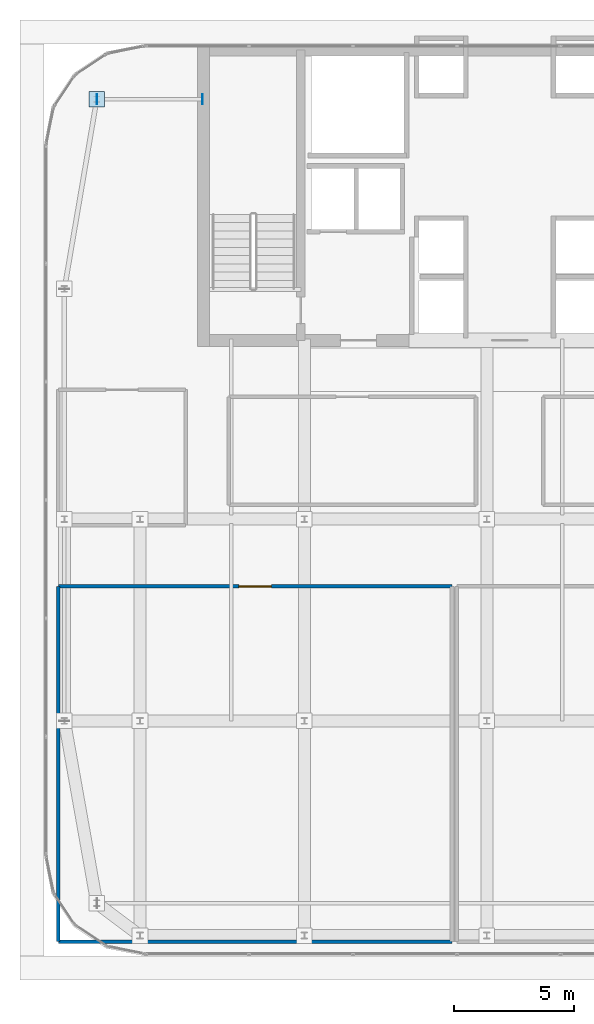
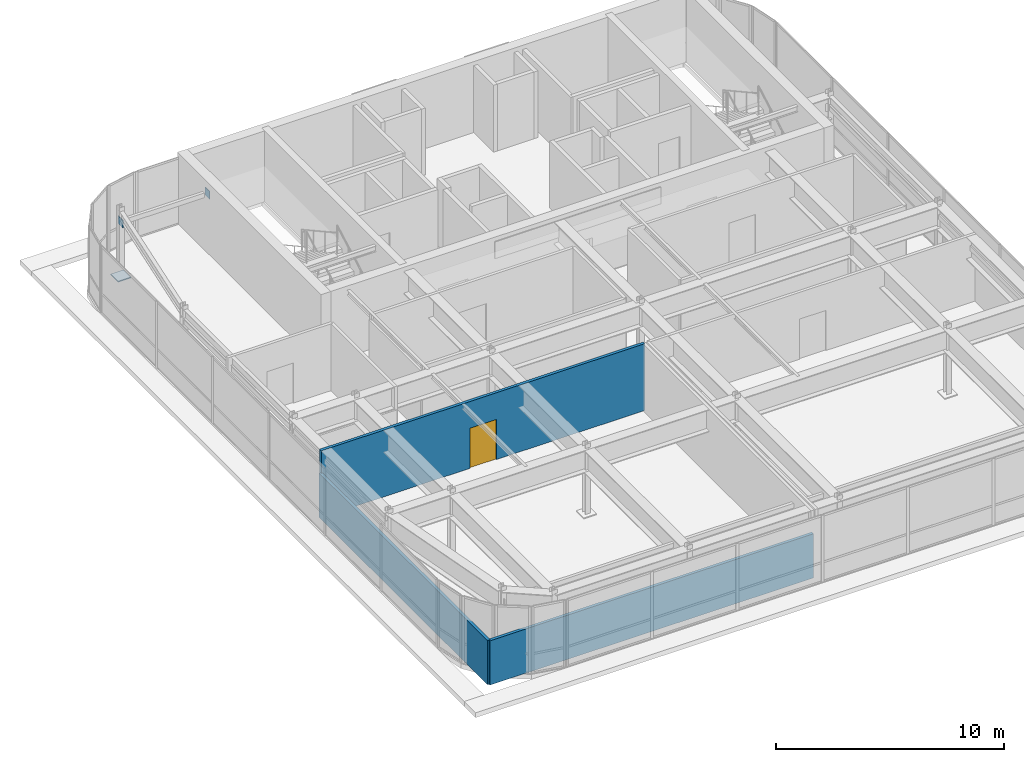
# One storey, part 32 of 35: 3 plates, 3 walls, 1 door, 1 opening.
"""IFC4 building model written with IfcOpenShell, lengths in metres."""

import ifcopenshell
import ifcopenshell.guid

model = None  # the IFC model being written
_history = None  # IfcOwnerHistory: only IFC2X3 demands one
_inside = {}  # id of a spatial element -> (the spatial element, [elements in it])
_under = {}  # id of a project, library or spatial element -> (it, [spatial elements below it])
_declared = {}  # id of a project -> (the project, [libraries it declares])
_typed = {}  # id of a type object -> (the type object, [elements of that type])
_made_of = {}  # id of a material, layer set ... -> (it, [elements and type objects made of it])


def new_model(schema):
    """Start an empty IFC model of exactly this schema.

    Asked for "IFC4X3", IfcOpenShell would pick the latest addendum, in which some entities
    have other attributes; the version numbers below select the first issue.
    IFC2X3 requires an IfcOwnerHistory on every rooted entity: one is made here for all.
    """
    global model, _history
    if schema == "IFC4X3":
        model = ifcopenshell.file(schema_version=(4, 3, 0, 0))
    else:
        model = ifcopenshell.file(schema=schema)
    _inside.clear()
    _under.clear()
    _declared.clear()
    _typed.clear()
    _made_of.clear()
    _history = None
    if model.schema == "IFC2X3":
        org = make("IfcOrganization", Name="unknown")
        user = make(
            "IfcPersonAndOrganization",
            ThePerson=make("IfcPerson", FamilyName="unknown"),
            TheOrganization=org,
        )
        app = make(
            "IfcApplication",
            ApplicationDeveloper=org,
            Version="unknown",
            ApplicationFullName="unknown",
            ApplicationIdentifier="unknown",
        )
        _history = make(
            "IfcOwnerHistory",
            OwningUser=user,
            OwningApplication=app,
            ChangeAction="ADDED",
            CreationDate=0,
        )
    return model


def make(cls, **values):
    """One entity of the class cls with the attributes given. An attribute that is None is left unset."""
    return model.create_entity(
        cls, **{name: value for name, value in values.items() if value is not None}
    )


def rooted(cls, **values):
    """An entity with a GlobalId (a new one), such as an element, a storey or a relation."""
    return make(cls, GlobalId=ifcopenshell.guid.new(), OwnerHistory=_history, **values)


def si_unit(unit_type, name, prefix=None):
    """IfcSIUnit, for example si_unit("LENGTHUNIT", "METRE", prefix="MILLI")."""
    return make("IfcSIUnit", UnitType=unit_type, Prefix=prefix, Name=name)


def assignment(units):
    """IfcUnitAssignment: the units of a project."""
    return None if units is None else make("IfcUnitAssignment", Units=units)


def point(xyz):
    """IfcCartesianPoint."""
    return None if xyz is None else make("IfcCartesianPoint", Coordinates=xyz)


def direction(xyz):
    """IfcDirection."""
    return None if xyz is None else make("IfcDirection", DirectionRatios=xyz)


def frame(location, z_axis=None, x_axis=None):
    """IfcAxis2Placement3D, a coordinate frame: its origin and axes. An axis left out is left unset."""
    return make(
        "IfcAxis2Placement3D",
        Location=point(location),
        Axis=direction(z_axis),
        RefDirection=direction(x_axis),
    )


def frame_2d(location, x_axis=None):
    """IfcAxis2Placement2D, a coordinate frame in the plane: its origin and x axis."""
    return make(
        "IfcAxis2Placement2D", Location=point(location), RefDirection=direction(x_axis)
    )


def origin():
    """The frame at (0, 0, 0) with its axes left unset."""
    return frame((0.0, 0.0, 0.0))


def origin_2d():
    """The frame at (0, 0) in the plane with its x axis left unset."""
    return frame_2d((0.0, 0.0))


def place(relative_to, where):
    """IfcLocalPlacement: puts the frame where relative to a parent placement (None: the world)."""
    return make(
        "IfcLocalPlacement", PlacementRelTo=relative_to, RelativePlacement=where
    )


def context(
    kind, dimensions, precision=None, world=None, true_north=None, identifier=None
):
    """IfcGeometricRepresentationContext, for example the 3D "Model" context."""
    return make(
        "IfcGeometricRepresentationContext",
        ContextIdentifier=identifier,
        ContextType=kind,
        CoordinateSpaceDimension=dimensions,
        Precision=precision,
        WorldCoordinateSystem=world,
        TrueNorth=true_north,
    )


def subcontext(parent, identifier, kind, view, scale=None):
    """IfcGeometricRepresentationSubContext, for example "Body" below "Model"."""
    return make(
        "IfcGeometricRepresentationSubContext",
        ContextIdentifier=identifier,
        ContextType=kind,
        ParentContext=parent,
        TargetScale=scale,
        TargetView=view,
    )


def project(units=None, contexts=None):
    """IfcProject with its units and contexts."""
    return rooted(
        "IfcProject",
        Name="project",
        RepresentationContexts=contexts,
        UnitsInContext=assignment(units),
    )


def spatial(cls, under=None, at=None, **own):
    """A site, building, storey or space (cls), placed at a placement, below another one or the project."""
    s = rooted(cls, ObjectPlacement=at, **own)
    if under is not None:
        _under.setdefault(under.id(), (under, []))[1].append(s)
    return s


def profile(cls, at=None, kind="AREA", **sizes):
    """A parametric profile (cls). Its sizes go by their IFC names, for example OverallWidth=200.0."""
    return make(cls, ProfileType=kind, Position=at, **sizes)


def rectangle(**sizes):
    """IfcRectangleProfileDef."""
    return profile("IfcRectangleProfileDef", **sizes)


def extrude(swept, where, along, depth):
    """IfcExtrudedAreaSolid: the profile swept, set in the frame where, extruded along a direction by depth."""
    return make(
        "IfcExtrudedAreaSolid",
        SweptArea=swept,
        Position=where,
        ExtrudedDirection=direction(along),
        Depth=depth,
    )


def shape(context_of_items, identifier, shape_type, items):
    """IfcShapeRepresentation: the items that make up one representation, for example the "Body"."""
    return make(
        "IfcShapeRepresentation",
        ContextOfItems=context_of_items,
        RepresentationIdentifier=identifier,
        RepresentationType=shape_type,
        Items=items,
    )


def source(mapping_origin, context_of_items, identifier, shape_type, items):
    """IfcRepresentationMap: a shape defined once, which mapped items show again and again."""
    return make(
        "IfcRepresentationMap",
        MappingOrigin=mapping_origin,
        MappedRepresentation=shape(context_of_items, identifier, shape_type, items),
    )


def transform(
    local_origin,
    x_axis=None,
    y_axis=None,
    z_axis=None,
    scale=None,
    scale2=None,
    scale3=None,
    uniform=True,
):
    """IfcCartesianTransformationOperator3D, or its non-uniform kind. x_axis, y_axis, z_axis: its Axis1, 2, 3."""
    if uniform:
        return make(
            "IfcCartesianTransformationOperator3D",
            Axis1=direction(x_axis),
            Axis2=direction(y_axis),
            LocalOrigin=point(local_origin),
            Scale=scale,
            Axis3=direction(z_axis),
        )
    return make(
        "IfcCartesianTransformationOperator3DnonUniform",
        Axis1=direction(x_axis),
        Axis2=direction(y_axis),
        LocalOrigin=point(local_origin),
        Scale=scale,
        Axis3=direction(z_axis),
        Scale2=scale2,
        Scale3=scale3,
    )


def mapped(mapping_source, mapping_target):
    """IfcMappedItem: shows the shape of a source again, moved by a transform."""
    return make(
        "IfcMappedItem", MappingSource=mapping_source, MappingTarget=mapping_target
    )


def material(Name=None, Category=None):
    """IfcMaterial."""
    return make("IfcMaterial", Name=Name, Category=Category)


def layer(
    of_material, thickness, ventilated=None, Name=None, Category=None, Priority=None
):
    """IfcMaterialLayer: one layer of a wall or slab, of a material (None: an air gap)."""
    return make(
        "IfcMaterialLayer",
        Material=of_material,
        LayerThickness=thickness,
        IsVentilated=ventilated,
        Name=Name,
        Category=Category,
        Priority=Priority,
    )


def layer_set(layers, Name=None):
    """IfcMaterialLayerSet."""
    return make("IfcMaterialLayerSet", MaterialLayers=layers, LayerSetName=Name)


def made_of(thing, what):
    """Note that an element or type object is made of a material, layer set ...; save() writes the relation."""
    if what is not None:
        _made_of.setdefault(what.id(), (what, []))[1].append(thing)
    return thing


def type_object(cls, material=None, **own):
    """A type object (cls), such as IfcWallType, which elements share."""
    return made_of(rooted(cls, **own), material)


def type_shapes(of_type, sources):
    """Give a type object the sources (RepresentationMaps) that its elements show as mapped items."""
    of_type.RepresentationMaps = sources


def element(
    cls,
    number,
    at=None,
    inside=None,
    cuts=None,
    type_object=None,
    material=None,
    context=None,
    identifier="Body",
    shape_type=None,
    held_by="IfcProductDefinitionShape",
    body=None,
    shapes=None,
    **own,
):
    """One element of the class cls, such as IfcWall. Its Tag is "e" and its number.

    at: its placement. inside: the storey or other place that contains it. cuts: it is an
    opening in that element (IfcRelVoidsElement). A single representation is given by context,
    identifier, shape_type and body (its items); several are given by shapes. held_by: the class
    of the entity that holds the representations. save() writes the other relations.
    """
    e = rooted(cls, Tag="e%d" % number, ObjectPlacement=at, **own)
    if body is not None:
        shapes = [shape(context, identifier, shape_type, body)]
    if shapes is not None:
        e.Representation = make(held_by, Representations=shapes)
    if inside is not None:
        _inside.setdefault(inside.id(), (inside, []))[1].append(e)
    if cuts is not None:
        rooted(
            "IfcRelVoidsElement", RelatingBuildingElement=cuts, RelatedOpeningElement=e
        )
    if type_object is not None:
        _typed.setdefault(type_object.id(), (type_object, []))[1].append(e)
    return made_of(e, material)


def fill(opening, filler):
    """IfcRelFillsElement: the door or window that sits in an opening."""
    return rooted(
        "IfcRelFillsElement",
        RelatingOpeningElement=opening,
        RelatedBuildingElement=filler,
    )


def aggregate(whole, parts):
    """IfcRelAggregates: a whole, such as a stair, and the parts it consists of."""
    return rooted("IfcRelAggregates", RelatingObject=whole, RelatedObjects=parts)


def save(model, path):
    """Write the relations noted so far, then the file.

    IfcRelAggregates (storeys below a building ...), IfcRelContainedInSpatialStructure (elements
    in a storey), IfcRelDefinesByType, IfcRelAssociatesMaterial and IfcRelDeclares: one each for
    every whole, place, type object, material and project.
    """
    for whole, parts in _under.values():
        aggregate(whole, parts)
    for where, things in _inside.values():
        rooted(
            "IfcRelContainedInSpatialStructure",
            RelatedElements=things,
            RelatingStructure=where,
        )
    for kind, things in _typed.values():
        rooted("IfcRelDefinesByType", RelatedObjects=things, RelatingType=kind)
    for what, things in _made_of.values():
        rooted("IfcRelAssociatesMaterial", RelatedObjects=things, RelatingMaterial=what)
    for by, libraries in _declared.values():
        rooted("IfcRelDeclares", RelatingContext=by, RelatedDefinitions=libraries)
    model.write(path)


model = new_model("IFC4")

# Units and contexts
model_context = context("Model", 3, precision=1e-05, world=origin(), true_north=direction((0.0, 1.0)))
body_context = subcontext(model_context, "Body", "Model", "MODEL_VIEW")
ifc_project = project(units=[si_unit("LENGTHUNIT", "METRE"), si_unit("AREAUNIT", "SQUARE_METRE"), si_unit("VOLUMEUNIT", "CUBIC_METRE"), si_unit("PLANEANGLEUNIT", "RADIAN"), si_unit("MASSUNIT", "GRAM", prefix="KILO")], contexts=[model_context])

# Site, building, storey
site_placement = place(None, origin())
site = spatial("IfcSite", under=ifc_project, at=site_placement, CompositionType="ELEMENT")
building_placement = place(site_placement, origin())
building = spatial("IfcBuilding", under=site, at=building_placement, Name="Tolvann Quenvar Hotel", CompositionType="ELEMENT")
storey_placement = place(building_placement, frame((0.0, 0.0, 290.949951171875)))
storey = spatial("IfcBuildingStorey", under=building, at=storey_placement, Name="L77", CompositionType="ELEMENT", Elevation=290.949951171875)

# Plates
ifc_material_1 = material(Name="Steel Grade 350", Category="steel")
ifc_layer_1 = layer(ifc_material_1, 0.050048828125)
ifc_layer_set_1 = layer_set([ifc_layer_1], Name="Steel Grade 350")
plate_type_1 = type_object("IfcPlateType", Name="PLT_BASE_50", PredefinedType="SHEET", material=ifc_layer_set_1)
shared_shape_1 = source(origin(), body_context, "Body", "SweptSolid", [
    extrude(rectangle(XDim=0.64990234375, YDim=0.64990234375, at=origin_2d()), origin(), (0.0, 0.0, 1.0), 0.050048828125),
])
type_shapes(plate_type_1, [shared_shape_1])
plate_placement = place(storey_placement, frame((5.800048828125, 41.89990234375, 0.0), z_axis=(0.0, 0.0, 1.0), x_axis=(1.0, 0.0, 0.0)))
element("IfcPlate", 1, at=plate_placement, inside=storey, type_object=plate_type_1, Name="Crown Frame Base Plate BN", PredefinedType="SHEET", context=body_context, shape_type="MappedRepresentation", body=[
    mapped(shared_shape_1, transform((0.0, 0.0, 0.0), x_axis=(1.0, 0.0, 0.0), y_axis=(0.0, 1.0, 0.0), z_axis=(0.0, 0.0, 1.0), scale=1.0)),
])
ifc_layer_2 = layer(ifc_material_1, 0.02490234375)
ifc_layer_set_2 = layer_set([ifc_layer_2], Name="Steel Grade 350")
plate_type_2 = type_object("IfcPlateType", Name="PLT_ENDCAP_25", PredefinedType="SHEET", material=ifc_layer_set_2)
shared_shape_2 = source(origin(), body_context, "Body", "SweptSolid", [
    extrude(rectangle(XDim=0.02490234375, YDim=0.419921875, at=origin_2d()), origin(), (0.0, 0.0, 1.0), 0.419921875),
])
type_shapes(plate_type_2, [shared_shape_2])
for number, where, z_axis, x_axis, name in (
    (2, (5.800048828125, 41.89990234375, 2.719970703125), (0.0, 0.0, 1.0), (1.0, 0.0, 0.0), "Crown Ring End Cap Plate EC-1 (L77-4-1)"),
    (3, (10.199951171875, 41.89990234375, 2.719970703125), (0.0, 0.0, 1.0), (1.0, 0.0, 0.0), "Crown Ring End Cap Plate EC-1 (L77-4-2)"),
):
    element("IfcPlate", number, at=place(storey_placement, frame(where, z_axis=z_axis, x_axis=x_axis)), inside=storey, type_object=plate_type_2, Name=name, PredefinedType="SHEET", context=body_context, shape_type="MappedRepresentation", body=[
        mapped(shared_shape_2, transform((0.0, 0.0, 0.0), x_axis=(1.0, 0.0, 0.0), y_axis=(0.0, 1.0, 0.0), z_axis=(0.0, 0.0, 1.0), scale=1.0)),
    ])

# Wall
ifc_material_2 = material(Name="Acoustic twin-stud fire-rated gypsum plasterboard partition")
ifc_layer_3 = layer(ifc_material_2, 0.14990234375)
ifc_layer_set_3 = layer_set([ifc_layer_3], Name="Acoustic twin-stud fire-rated gypsum plasterboard partition")
wall_type = type_object("IfcWallType", Name="WALL_PART_SUITE_150", PredefinedType="PARTITIONING", material=ifc_layer_set_3)
wall_1_placement = place(storey_placement, frame((4.199951171875, 6.800048828125, 0.0), z_axis=(0.0, 0.0, 1.0), x_axis=(1.0, 0.0, 0.0)))
element("IfcWall", 4, at=wall_1_placement, inside=storey, type_object=wall_type, Name="Interior Partition PT-SPC-L77-CWCHIL-S", PredefinedType="PARTITIONING", context=body_context, shape_type="SweptSolid", body=[
    extrude(rectangle(XDim=16.400146484375, YDim=0.14990234375, at=frame_2d((8.2001953125, 0.0))), origin(), (0.0, 0.0, 1.0), 2.3701171875),
])

# Wall, opening, door
wall_2_placement = place(storey_placement, frame((4.199951171875, 21.60009765625, 0.0), z_axis=(0.0, 0.0, 1.0), x_axis=(1.0, 0.0, 0.0)))
wall_2 = element("IfcWall", 5, at=wall_2_placement, inside=storey, type_object=wall_type, Name="Interior Partition PT-SPC-L77-CWCHIL-N", PredefinedType="PARTITIONING", context=body_context, shape_type="SweptSolid", body=[
    extrude(rectangle(XDim=16.400146484375, YDim=0.14990234375, at=frame_2d((8.2001953125, 0.0))), origin(), (0.0, 0.0, 1.0), 3.580078125),
])
opening_placement = place(wall_2_placement, frame((7.52490234375, 0.0, 0.0)))
opening = element("IfcOpeningElement", 6, at=opening_placement, cuts=wall_2, Name="Opening PD-01", PredefinedType="OPENING", context=body_context, shape_type="SweptSolid", body=[
    extrude(rectangle(XDim=1.35009765625, YDim=2.14990234375, at=frame_2d((0.675048828125, 1.074951171875))), frame((0.0, 0.0849609375, 0.0), z_axis=(0.0, -1.0, 0.0), x_axis=(1.0, 0.0, 0.0)), (0.0, 0.0, 1.0), 0.169921875),
])
ifc_material_3 = material(Name="Pressed galvanised steel fire-rated door set", Category="steel")
door_type = type_object("IfcDoorType", Name="DOOR_PLANT_1350", OperationType="NOTDEFINED", PredefinedType="DOOR", material=ifc_material_3)
shared_shape_3 = source(origin(), body_context, "Body", "SweptSolid", [
    extrude(rectangle(XDim=1.35009765625, YDim=2.14990234375, at=frame_2d((0.675048828125, 1.074951171875))), frame((0.0, 0.02490234375, 0.0), z_axis=(0.0, -1.0, 0.0), x_axis=(1.0, 0.0, 0.0)), (0.0, 0.0, 1.0), 0.050048828125),
])
type_shapes(door_type, [shared_shape_3])
door_placement = place(opening_placement, origin())
door = element("IfcDoor", 7, at=door_placement, inside=storey, type_object=door_type, Name="Interior Door DOOR-SPC-L77-CWCHIL", OperationType="DOUBLE_DOOR_SINGLE_SWING", OverallHeight=2.14990234375, OverallWidth=1.35009765625, PredefinedType="DOOR", context=body_context, shape_type="MappedRepresentation", body=[
    mapped(shared_shape_3, transform((0.0, 0.0, 0.0), x_axis=(1.0, 0.0, 0.0), y_axis=(0.0, 1.0, 0.0), z_axis=(0.0, 0.0, 1.0), scale=1.0)),
])
fill(opening, door)

# Wall
wall_3_placement = place(storey_placement, frame((4.199951171875, 6.800048828125, 0.0), z_axis=(0.0, 0.0, 1.0), x_axis=(0.0, 1.0, 0.0)))
element("IfcWall", 8, at=wall_3_placement, inside=storey, type_object=wall_type, Name="Interior Partition PT-SPC-L77-CWCHIL-W", PredefinedType="PARTITIONING", context=body_context, shape_type="SweptSolid", body=[
    extrude(rectangle(XDim=14.800048828125, YDim=0.14990234375, at=frame_2d((7.39990234375, 0.0))), origin(), (0.0, 0.0, 1.0), 2.3701171875),
])

save(model, "model.ifc")
